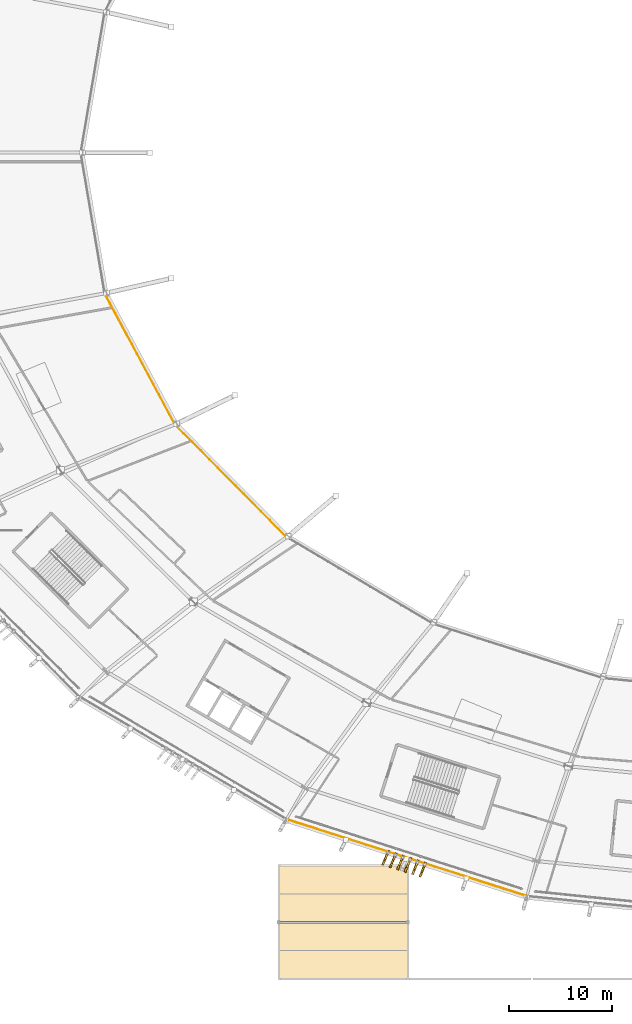
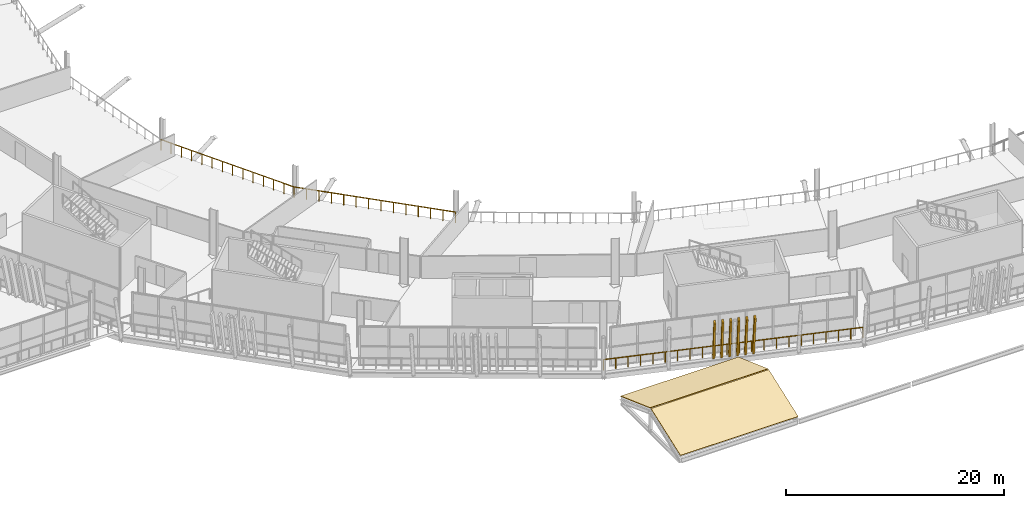
# One storey, part 141 of 168: 6 shading devices, 3 railings, 2 coverings, 1 element without a shape of its own.
"""IFC4 building model written with IfcOpenShell, lengths in metres."""

from ifc_helpers import new_model, si_unit, direction, frame, origin, origin_2d, place, context, subcontext, project, spatial, polyline, rectangle, outline, extrude, material, layer, layer_set, material_profile, profile_set, type_object, element, aggregate, save


model = new_model("IFC4")

# Units and contexts
model_context = context("Model", 3, precision=1e-05, world=origin(), true_north=direction((0.0, 1.0)))
body_context = subcontext(model_context, "Body", "Model", "MODEL_VIEW")
ifc_project = project(units=[si_unit("LENGTHUNIT", "METRE"), si_unit("AREAUNIT", "SQUARE_METRE"), si_unit("VOLUMEUNIT", "CUBIC_METRE"), si_unit("PLANEANGLEUNIT", "RADIAN"), si_unit("MASSUNIT", "GRAM", prefix="KILO")], contexts=[model_context])

# Site, building, storey
site_placement = place(None, origin())
site = spatial("IfcSite", under=ifc_project, at=site_placement, CompositionType="ELEMENT")
building_placement = place(site_placement, origin())
building = spatial("IfcBuilding", under=site, at=building_placement, Name="Zlatoyarsky Gate Stadium", CompositionType="ELEMENT")
storey_placement = place(building_placement, frame((0.0, 0.0, 15.60009765625)))
storey = spatial("IfcBuildingStorey", under=building, at=storey_placement, Name="L03", CompositionType="ELEMENT", Elevation=15.60009765625)

# Railings
ifc_material_1 = material(Name="Powder-coated steel tubular guardrail", Category="steel")
railing_type = type_object("IfcRailingType", Name="CONCOURSE SLAB EDGE GUARDRAIL 1200", PredefinedType="GUARDRAIL", material=ifc_material_1)
railing_1_placement = place(storey_placement, frame((45.143310546875, 66.365478515625, 0.0)))
element("IfcRailing", 1, at=railing_1_placement, inside=storey, type_object=railing_type, Name="L03 inner bowl edge guardrail 13", PredefinedType="GUARDRAIL", context=body_context, shape_type="SweptSolid", body=[
    extrude(rectangle(XDim=0.048095703125, YDim=0.048095703125, at=origin_2d()), frame((0.0, 0.0, 1.17578125), z_axis=(0.472462954592, -0.88135052989, 0.0), x_axis=(0.88135052989, 0.472462954592, 0.0)), (0.0, 0.0, 1.0), 14.416015625),
    extrude(rectangle(XDim=0.0419921875, YDim=0.0419921875, at=origin_2d()), origin(), (0.0, 0.0, 1.0), 1.15185546875),
    extrude(rectangle(XDim=0.0419921875, YDim=0.0419921875, at=origin_2d()), frame((0.52392578125, -0.977294921875, 0.0)), (0.0, 0.0, 1.0), 1.15185546875),
    extrude(rectangle(XDim=0.0419921875, YDim=0.0419921875, at=origin_2d()), frame((1.0478515625, -1.95458984375, 0.0)), (0.0, 0.0, 1.0), 1.15185546875),
    extrude(rectangle(XDim=0.0419921875, YDim=0.0419921875, at=origin_2d()), frame((1.57177734375, -2.93212890625, 0.0)), (0.0, 0.0, 1.0), 1.15185546875),
    extrude(rectangle(XDim=0.0419921875, YDim=0.0419921875, at=origin_2d()), frame((2.095703125, -3.909423828125, 0.0)), (0.0, 0.0, 1.0), 1.15185546875),
    extrude(rectangle(XDim=0.0419921875, YDim=0.0419921875, at=origin_2d()), frame((2.61962890625, -4.88671875, 0.0)), (0.0, 0.0, 1.0), 1.15185546875),
    extrude(rectangle(XDim=0.0419921875, YDim=0.0419921875, at=origin_2d()), frame((3.1435546875, -5.864013671875, 0.0)), (0.0, 0.0, 1.0), 1.15185546875),
    extrude(rectangle(XDim=0.0419921875, YDim=0.0419921875, at=origin_2d()), frame((3.66748046875, -6.841552734375, 0.0)), (0.0, 0.0, 1.0), 1.15185546875),
    extrude(rectangle(XDim=0.0419921875, YDim=0.0419921875, at=origin_2d()), frame((4.19140625, -7.81884765625, 0.0)), (0.0, 0.0, 1.0), 1.15185546875),
    extrude(rectangle(XDim=0.0419921875, YDim=0.0419921875, at=origin_2d()), frame((4.71533203125, -8.796142578125, 0.0)), (0.0, 0.0, 1.0), 1.15185546875),
    extrude(rectangle(XDim=0.0419921875, YDim=0.0419921875, at=origin_2d()), frame((5.2392578125, -9.7734375, 0.0)), (0.0, 0.0, 1.0), 1.15185546875),
    extrude(rectangle(XDim=0.0419921875, YDim=0.0419921875, at=origin_2d()), frame((5.76318359375, -10.7509765625, 0.0)), (0.0, 0.0, 1.0), 1.15185546875),
    extrude(rectangle(XDim=0.0419921875, YDim=0.0419921875, at=origin_2d()), frame((6.287109375, -11.728271484375, 0.0)), (0.0, 0.0, 1.0), 1.15185546875),
    extrude(rectangle(XDim=0.0419921875, YDim=0.0419921875, at=origin_2d()), frame((6.81103515625, -12.70556640625, 0.0)), (0.0, 0.0, 1.0), 1.15185546875),
])
railing_2_placement = place(storey_placement, frame((51.954345703125, 53.659912109375, 0.0)))
element("IfcRailing", 2, at=railing_2_placement, inside=storey, type_object=railing_type, Name="L03 inner bowl edge guardrail 14", PredefinedType="GUARDRAIL", context=body_context, shape_type="SweptSolid", body=[
    extrude(rectangle(XDim=0.048095703125, YDim=0.048095703125, at=origin_2d()), frame((0.0, 0.0, 1.17578125), z_axis=(0.704657425229, -0.709547682027, 0.0), x_axis=(0.709547682027, 0.704657425229, 0.0)), (0.0, 0.0, 1.0), 15.37646484375),
    extrude(rectangle(XDim=0.0419921875, YDim=0.0419921875, at=origin_2d()), origin(), (0.0, 0.0, 1.0), 1.15185546875),
    extrude(rectangle(XDim=0.0419921875, YDim=0.0419921875, at=origin_2d()), frame((0.83349609375, -0.83935546875, 0.0)), (0.0, 0.0, 1.0), 1.15185546875),
    extrude(rectangle(XDim=0.0419921875, YDim=0.0419921875, at=origin_2d()), frame((1.6669921875, -1.678466796875, 0.0)), (0.0, 0.0, 1.0), 1.15185546875),
    extrude(rectangle(XDim=0.0419921875, YDim=0.0419921875, at=origin_2d()), frame((2.50048828125, -2.517822265625, 0.0)), (0.0, 0.0, 1.0), 1.15185546875),
    extrude(rectangle(XDim=0.0419921875, YDim=0.0419921875, at=origin_2d()), frame((3.333984375, -3.35693359375, 0.0)), (0.0, 0.0, 1.0), 1.15185546875),
    extrude(rectangle(XDim=0.0419921875, YDim=0.0419921875, at=origin_2d()), frame((4.16748046875, -4.1962890625, 0.0)), (0.0, 0.0, 1.0), 1.15185546875),
    extrude(rectangle(XDim=0.0419921875, YDim=0.0419921875, at=origin_2d()), frame((5.0009765625, -5.03564453125, 0.0)), (0.0, 0.0, 1.0), 1.15185546875),
    extrude(rectangle(XDim=0.0419921875, YDim=0.0419921875, at=origin_2d()), frame((5.834228515625, -5.874755859375, 0.0)), (0.0, 0.0, 1.0), 1.15185546875),
    extrude(rectangle(XDim=0.0419921875, YDim=0.0419921875, at=origin_2d()), frame((6.667724609375, -6.714111328125, 0.0)), (0.0, 0.0, 1.0), 1.15185546875),
    extrude(rectangle(XDim=0.0419921875, YDim=0.0419921875, at=origin_2d()), frame((7.501220703125, -7.553466796875, 0.0)), (0.0, 0.0, 1.0), 1.15185546875),
    extrude(rectangle(XDim=0.0419921875, YDim=0.0419921875, at=origin_2d()), frame((8.334716796875, -8.392578125, 0.0)), (0.0, 0.0, 1.0), 1.15185546875),
    extrude(rectangle(XDim=0.0419921875, YDim=0.0419921875, at=origin_2d()), frame((9.168212890625, -9.23193359375, 0.0)), (0.0, 0.0, 1.0), 1.15185546875),
    extrude(rectangle(XDim=0.0419921875, YDim=0.0419921875, at=origin_2d()), frame((10.001708984375, -10.071044921875, 0.0)), (0.0, 0.0, 1.0), 1.15185546875),
    extrude(rectangle(XDim=0.0419921875, YDim=0.0419921875, at=origin_2d()), frame((10.835205078125, -10.910400390625, 0.0)), (0.0, 0.0, 1.0), 1.15185546875),
])
railing_3_placement = place(storey_placement, frame((62.739013671875, 15.4619140625, 0.0)))
element("IfcRailing", 3, at=railing_3_placement, inside=storey, type_object=railing_type, Name="L03 outer slab edge guardrail 16", PredefinedType="GUARDRAIL", context=body_context, shape_type="SweptSolid", body=[
    extrude(rectangle(XDim=0.048095703125, YDim=0.048095703125, at=origin_2d()), frame((0.0, 0.0, 1.17578125), z_axis=(0.952478180507, -0.304606821424, 0.0), x_axis=(0.304606821424, 0.952478180507, 0.0)), (0.0, 0.0, 1.0), 24.440673828125),
    extrude(rectangle(XDim=0.0419921875, YDim=0.0419921875, at=origin_2d()), origin(), (0.0, 0.0, 1.0), 1.15185546875),
    extrude(rectangle(XDim=0.0419921875, YDim=0.0419921875, at=origin_2d()), frame((1.108642578125, -0.3544921875, 0.0)), (0.0, 0.0, 1.0), 1.15185546875),
    extrude(rectangle(XDim=0.0419921875, YDim=0.0419921875, at=origin_2d()), frame((2.217041015625, -0.708984375, 0.0)), (0.0, 0.0, 1.0), 1.15185546875),
    extrude(rectangle(XDim=0.0419921875, YDim=0.0419921875, at=origin_2d()), frame((3.32568359375, -1.0634765625, 0.0)), (0.0, 0.0, 1.0), 1.15185546875),
    extrude(rectangle(XDim=0.0419921875, YDim=0.0419921875, at=origin_2d()), frame((4.43408203125, -1.41796875, 0.0)), (0.0, 0.0, 1.0), 1.15185546875),
    extrude(rectangle(XDim=0.0419921875, YDim=0.0419921875, at=origin_2d()), frame((5.542724609375, -1.7724609375, 0.0)), (0.0, 0.0, 1.0), 1.15185546875),
    extrude(rectangle(XDim=0.0419921875, YDim=0.0419921875, at=origin_2d()), frame((6.651123046875, -2.127197265625, 0.0)), (0.0, 0.0, 1.0), 1.15185546875),
    extrude(rectangle(XDim=0.0419921875, YDim=0.0419921875, at=origin_2d()), frame((7.759765625, -2.481689453125, 0.0)), (0.0, 0.0, 1.0), 1.15185546875),
    extrude(rectangle(XDim=0.0419921875, YDim=0.0419921875, at=origin_2d()), frame((8.868408203125, -2.836181640625, 0.0)), (0.0, 0.0, 1.0), 1.15185546875),
    extrude(rectangle(XDim=0.0419921875, YDim=0.0419921875, at=origin_2d()), frame((9.976806640625, -3.190673828125, 0.0)), (0.0, 0.0, 1.0), 1.15185546875),
    extrude(rectangle(XDim=0.0419921875, YDim=0.0419921875, at=origin_2d()), frame((11.08544921875, -3.545166015625, 0.0)), (0.0, 0.0, 1.0), 1.15185546875),
    extrude(rectangle(XDim=0.0419921875, YDim=0.0419921875, at=origin_2d()), frame((12.19384765625, -3.899658203125, 0.0)), (0.0, 0.0, 1.0), 1.15185546875),
    extrude(rectangle(XDim=0.0419921875, YDim=0.0419921875, at=origin_2d()), frame((13.302490234375, -4.254150390625, 0.0)), (0.0, 0.0, 1.0), 1.15185546875),
    extrude(rectangle(XDim=0.0419921875, YDim=0.0419921875, at=origin_2d()), frame((14.410888671875, -4.608642578125, 0.0)), (0.0, 0.0, 1.0), 1.15185546875),
    extrude(rectangle(XDim=0.0419921875, YDim=0.0419921875, at=origin_2d()), frame((15.51953125, -4.963134765625, 0.0)), (0.0, 0.0, 1.0), 1.15185546875),
    extrude(rectangle(XDim=0.0419921875, YDim=0.0419921875, at=origin_2d()), frame((16.628173828125, -5.317626953125, 0.0)), (0.0, 0.0, 1.0), 1.15185546875),
    extrude(rectangle(XDim=0.0419921875, YDim=0.0419921875, at=origin_2d()), frame((17.736572265625, -5.67236328125, 0.0)), (0.0, 0.0, 1.0), 1.15185546875),
    extrude(rectangle(XDim=0.0419921875, YDim=0.0419921875, at=origin_2d()), frame((18.84521484375, -6.02685546875, 0.0)), (0.0, 0.0, 1.0), 1.15185546875),
    extrude(rectangle(XDim=0.0419921875, YDim=0.0419921875, at=origin_2d()), frame((19.95361328125, -6.38134765625, 0.0)), (0.0, 0.0, 1.0), 1.15185546875),
    extrude(rectangle(XDim=0.0419921875, YDim=0.0419921875, at=origin_2d()), frame((21.062255859375, -6.73583984375, 0.0)), (0.0, 0.0, 1.0), 1.15185546875),
    extrude(rectangle(XDim=0.0419921875, YDim=0.0419921875, at=origin_2d()), frame((22.170654296875, -7.09033203125, 0.0)), (0.0, 0.0, 1.0), 1.15185546875),
    extrude(rectangle(XDim=0.0419921875, YDim=0.0419921875, at=origin_2d()), frame((23.279296875, -7.44482421875, 0.0)), (0.0, 0.0, 1.0), 1.15185546875),
])

# Shading devices
ifc_material_2 = material(Name="Precast concrete C40/50 stone-toned architectural rib", Category="masonry")
ifc_material_profile = material_profile(ifc_material_2, rectangle(XDim=0.179931640625, YDim=0.47998046875, at=origin_2d()), Name="RIB 180X480")
ifc_profile_set = profile_set([ifc_material_profile], Name="Precast concrete C40/50 stone-toned architectural rib")
shading_device_type = type_object("IfcShadingDeviceType", Name="PRECAST RIBBED BOWL LOUVRE FIN 180X480", PredefinedType="JALOUSIE", material=ifc_profile_set)
for number, where, z_axis, x_axis, name in (
    (4, (72.5546875, 12.21923828125, -0.010009765625), (-0.08884639366, -0.202880407833, 0.975164528913), (0.916014333163, -0.401145536482, 0.0), "Leaning bowl louvre fin L03-16-1"),
    (5, (73.26904296875, 11.99072265625, -0.010009765625), (-0.08721137083, -0.203595379471, 0.975163113667), (0.919216601821, -0.393752255786, 0.0), "Leaning bowl louvre fin L03-16-2"),
    (6, (73.9833984375, 11.76220703125, -0.010009765625), (-0.085576973396, -0.204260740082, 0.975168770873), (0.92232437715, -0.386416541202, 0.0), "Leaning bowl louvre fin L03-16-3"),
    (7, (74.69775390625, 11.53369140625, -0.010009765625), (-0.083890685975, -0.204975293624, 0.975165361265), (0.92548815227, -0.378776556836, 0.0), "Leaning bowl louvre fin L03-16-4"),
    (8, (75.412109375, 11.30517578125, -0.010009765625), (-0.082255743552, -0.20563935888, 0.975164830545), (0.928476690885, -0.371390676354, 0.0), "Leaning bowl louvre fin L03-16-5"),
    (9, (76.12646484375, 11.07666015625, -0.010009765625), (-0.080620551856, -0.206302780985, 0.975161263164), (0.931406038961, -0.36398185475, 0.0), "Leaning bowl louvre fin L03-16-6"),
):
    element("IfcShadingDevice", number, at=place(storey_placement, frame(where, z_axis=z_axis, x_axis=x_axis)), inside=storey, type_object=shading_device_type, Name=name, PredefinedType="JALOUSIE", context=body_context, shape_type="SweptSolid", body=[
        extrude(rectangle(XDim=0.179931640625, YDim=0.47998046875, at=origin_2d()), origin(), (0.0, 0.0, 1.0), 4.778564453125),
    ])

# Roof, coverings
ifc_material_3 = material(Name="Standing-seam aluminium-zinc roofing with mineral wool insulation", Category="aluminium")
ifc_layer_1 = layer(ifc_material_3, 0.080078125)
ifc_layer_set_1 = layer_set([ifc_layer_1], Name="Standing-seam aluminium-zinc roofing with mineral wool insulation")
roof_type = type_object("IfcRoofType", Name="WING GABLED STANDING SEAM ROOF ASSEMBLY", PredefinedType="GABLE_ROOF", material=ifc_layer_set_1)
roof_placement = place(storey_placement, origin())
roof = element("IfcRoof", 10, at=roof_placement, inside=storey, type_object=roof_type, Name="V3_SOUTH_W gable roof", PredefinedType="GABLE_ROOF")
ifc_layer_2 = layer(ifc_material_3, 0.06005859375)
ifc_layer_set_2 = layer_set([ifc_layer_2], Name="Standing-seam aluminium-zinc roofing with mineral wool insulation")
covering_type = type_object("IfcCoveringType", Name="STANDING SEAM ALUMINIUM ZINC ROOFING 60", PredefinedType="ROOFING", material=ifc_layer_set_2)
covering_1_placement = place(storey_placement, frame((62.0, 0.0, 0.059814453125), z_axis=(0.0, -0.341763424762, 0.939786018993), x_axis=(1.0, 0.0, 0.0)))
covering_1 = element("IfcCovering", 11, at=covering_1_placement, type_object=covering_type, Name="V3_SOUTH_W standing seam roofing 1", PredefinedType="ROOFING", context=body_context, shape_type="SweptSolid", body=[
    extrude(outline(polyline([(0.0, 0.0), (12.5, 0.0), (12.5, 5.776279586166431), (0.0, 5.776279586166431), (0.0, 0.0)])), origin(), (0.0, 0.0, -1.0), 0.06005859375),
])
covering_2_placement = place(storey_placement, frame((74.5, 11.0, 0.059814453125), z_axis=(0.0, 0.341763424762, 0.939786018993), x_axis=(-1.0, 0.0, 0.0)))
covering_2 = element("IfcCovering", 12, at=covering_2_placement, type_object=covering_type, Name="V3_SOUTH_W standing seam roofing 2", PredefinedType="ROOFING", context=body_context, shape_type="SweptSolid", body=[
    extrude(outline(polyline([(0.0, 0.0), (12.5, 0.0), (12.5, 5.776279586166431), (0.0, 5.776279586166431), (0.0, 0.0)])), origin(), (0.0, 0.0, -1.0), 0.06005859375),
])
aggregate(roof, [covering_1, covering_2])

save(model, "model.ifc")
